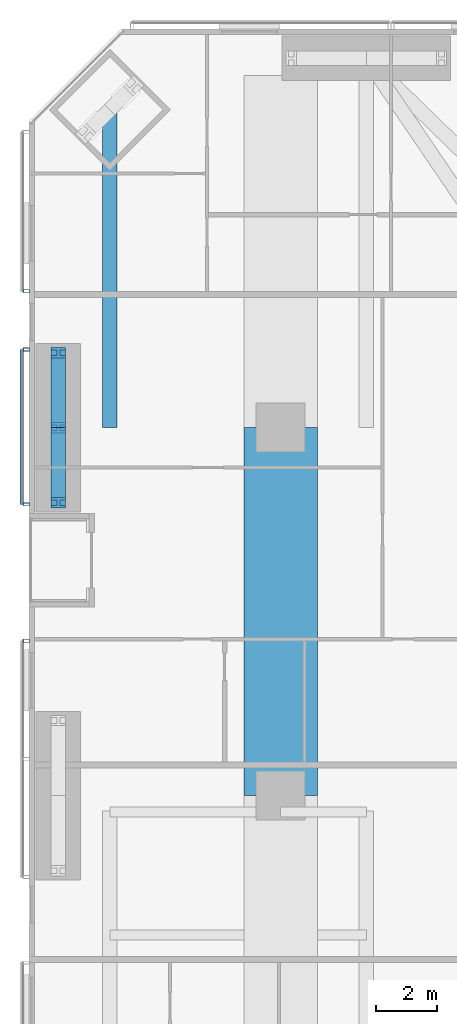
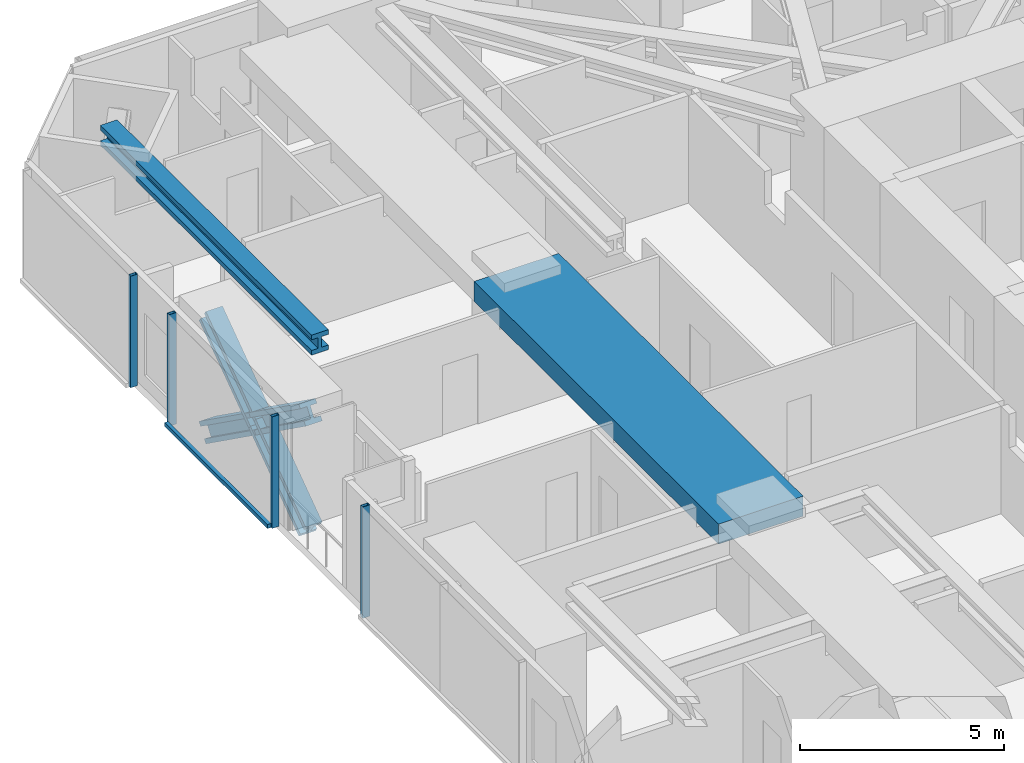
# One storey, part 6 of 22: 9 members, 2 beams, 3 elements without a shape of their own.
"""IFC4 building model written with IfcOpenShell, lengths in metres."""

from ifc_helpers import new_model, si_unit, direction, frame, origin, origin_2d, place, context, subcontext, project, spatial, rectangle, hollow_rectangle, i_section, extrude, material, material_profile, profile_set, type_object, element, aggregate, save


model = new_model("IFC4")

# Units and contexts
model_context = context("Model", 3, precision=1e-05, world=origin(), true_north=direction((0.0, 1.0)))
body_context = subcontext(model_context, "Body", "Model", "MODEL_VIEW")
ifc_project = project(units=[si_unit("LENGTHUNIT", "METRE"), si_unit("AREAUNIT", "SQUARE_METRE"), si_unit("VOLUMEUNIT", "CUBIC_METRE"), si_unit("PLANEANGLEUNIT", "RADIAN"), si_unit("MASSUNIT", "GRAM", prefix="KILO")], contexts=[model_context])

# Site, building, storey
site_placement = place(None, origin())
site = spatial("IfcSite", under=ifc_project, at=site_placement, CompositionType="ELEMENT")
building_placement = place(site_placement, origin())
building = spatial("IfcBuilding", under=site, at=building_placement, Name="Jalousie Tower", CompositionType="ELEMENT")
storey_placement = place(building_placement, frame((0.0, 0.0, 71.25)))
storey = spatial("IfcBuildingStorey", under=building, at=storey_placement, Name="L19", CompositionType="ELEMENT", Elevation=71.25)

# Beam
ifc_material_1 = material(Name="Steel ASTM A992 Grade 50", Category="steel")
ifc_material_profile_1 = material_profile(ifc_material_1, i_section(OverallWidth=0.4775390625, OverallDepth=0.599365234375, WebThickness=0.10009765625, FlangeThickness=0.139892578125, at=origin_2d()), Name="W14X873")
ifc_profile_set_1 = profile_set([ifc_material_profile_1], Name="Steel ASTM A992 Grade 50")
beam_type_1 = type_object("IfcBeamType", Name="KINK TIE W14X873", PredefinedType="BEAM", material=ifc_profile_set_1)
beam_1_placement = place(storey_placement, frame((4.63134765625, 35.36865234375, 2.92041015625), z_axis=(0.0, -1.0, 0.0), x_axis=(1.0, 0.0, 0.0)))
element("IfcBeam", 1, at=beam_1_placement, inside=storey, type_object=beam_type_1, Name="Kink tie under L20", PredefinedType="BEAM", context=body_context, shape_type="SweptSolid", body=[
    extrude(i_section(OverallWidth=0.4775390625, OverallDepth=0.599365234375, WebThickness=0.10009765625, FlangeThickness=0.139892578125, at=origin_2d()), origin(), (0.0, 0.0, 1.0), 10.36865234375),
])

# Members
ifc_material_2 = material(Name="Steel ASTM A992 Grade 50", Category="steel")
ifc_material_profile_2 = material_profile(ifc_material_2, i_section(OverallWidth=0.472412109375, OverallDepth=0.5791015625, WebThickness=0.094970703125, FlangeThickness=0.1298828125, at=origin_2d()), Name="W14X808")
ifc_profile_set_2 = profile_set([ifc_material_profile_2], Name="Steel ASTM A992 Grade 50")
member_type_1 = type_object("IfcMemberType", Name="PERIMETER BRACE W14X808", PredefinedType="BRACE", material=ifc_profile_set_2)
for number, where, z_axis, x_axis, name in (
    (2, (2.949951171875, 22.550048828125, -0.60009765625), (0.0, 0.813727992185, 0.581245864273), (-1.0, 0.0, 0.0), "Perimeter brace 13 L19 part 1"),
    (3, (2.949951171875, 25.0, 1.14990234375), (0.0, 0.813727992185, 0.581245864273), (-1.0, 0.0, 0.0), "Perimeter brace 13 L19 part 2"),
    (4, (2.949951171875, 27.449951171875, -0.60009765625), (0.0, -0.813727992185, 0.581245864273), (1.0, 0.0, 0.0), "Perimeter brace 13 L19 part 3"),
    (5, (2.949951171875, 25.0, 1.14990234375), (0.0, -0.813727992185, 0.581245864273), (1.0, 0.0, 0.0), "Perimeter brace 13 L19 part 4"),
):
    element("IfcMember", number, at=place(storey_placement, frame(where, z_axis=z_axis, x_axis=x_axis)), inside=storey, type_object=member_type_1, Name=name, PredefinedType="BRACE", context=body_context, shape_type="SweptSolid", body=[
        extrude(i_section(OverallWidth=0.472412109375, OverallDepth=0.5791015625, WebThickness=0.094970703125, FlangeThickness=0.1298828125, at=origin_2d()), origin(), (0.0, 0.0, 1.0), 3.0107421875),
    ])

# Beam
ifc_material_3 = material(Name="Concrete f'c 40 MPa", Category="concrete")
ifc_material_profile_3 = material_profile(ifc_material_3, rectangle(XDim=2.39990234375, YDim=0.60009765625, at=origin_2d()), Name="RC 2400x600")
ifc_profile_set_3 = profile_set([ifc_material_profile_3], Name="Concrete f'c 40 MPa")
beam_type_2 = type_object("IfcBeamType", Name="RC BEAM 2400x600", PredefinedType="BEAM", material=ifc_profile_set_3)
beam_2_placement = place(storey_placement, frame((10.199951171875, 13.0, 2.919921875), z_axis=(0.0, 1.0, 0.0), x_axis=(-1.0, 0.0, 0.0)))
element("IfcBeam", 6, at=beam_2_placement, inside=storey, type_object=beam_type_2, Name="Floor band beam under L20", PredefinedType="BEAM", context=body_context, shape_type="SweptSolid", body=[
    extrude(rectangle(XDim=2.39990234375, YDim=0.60009765625, at=origin_2d()), origin(), (0.0, 0.0, 1.0), 12.0),
])

# Curtain wall, member
ifc_material_4 = material(Name="Perforated aluminium sheet", Category="aluminium")
curtain_wall_type = type_object("IfcCurtainWallType", Name="SOLAR SCREEN SS-2", PredefinedType="USERDEFINED", material=ifc_material_4)
curtain_wall_1_placement = place(storey_placement, origin())
curtain_wall_1 = element("IfcCurtainWall", 7, at=curtain_wall_1_placement, inside=storey, type_object=curtain_wall_type, Name="Solar screen L19", ObjectType="SOLAR SCREEN SS-2", PredefinedType="USERDEFINED")
ifc_material_5 = material(Name="Steel ASTM A500 Grade C", Category="steel")
ifc_material_profile_4 = material_profile(ifc_material_5, hollow_rectangle(XDim=0.1015625, YDim=0.203125, WallThickness=0.0078125, at=origin_2d()), Name="HSS8X4X5/16")
ifc_profile_set_4 = profile_set([ifc_material_profile_4], Name="Steel ASTM A500 Grade C")
member_type_2 = type_object("IfcMemberType", Name="SOLAR SCREEN SS-2 MULLION", PredefinedType="MULLION", material=ifc_profile_set_4)
member_1_placement = place(storey_placement, frame((1.9033203125, 29.449951171875, -0.1201171875), z_axis=(0.0, 0.0, 1.0), x_axis=(0.0, -1.0, 0.0)))
member_1 = element("IfcMember", 8, at=member_1_placement, type_object=member_type_2, Name="SS2 post 2", PredefinedType="MULLION", context=body_context, shape_type="SweptSolid", body=[
    extrude(hollow_rectangle(XDim=0.1015625, YDim=0.203125, WallThickness=0.0078125, at=origin_2d()), origin(), (0.0, 0.0, 1.0), 3.340087890625),
])
aggregate(curtain_wall_1, [member_1])

# Curtain wall, members
curtain_wall_2_placement = place(storey_placement, origin())
curtain_wall_2 = element("IfcCurtainWall", 9, at=curtain_wall_2_placement, inside=storey, type_object=curtain_wall_type, Name="Solar screen L19", ObjectType="SOLAR SCREEN SS-2", PredefinedType="USERDEFINED")
member_2_placement = place(storey_placement, frame((1.9033203125, 27.550048828125, -0.1201171875), z_axis=(0.0, 0.0, 1.0), x_axis=(0.0, -1.0, 0.0)))
member_2 = element("IfcMember", 10, at=member_2_placement, type_object=member_type_2, Name="SS2 post 1", PredefinedType="MULLION", context=body_context, shape_type="SweptSolid", body=[
    extrude(hollow_rectangle(XDim=0.1015625, YDim=0.203125, WallThickness=0.0078125, at=origin_2d()), origin(), (0.0, 0.0, 1.0), 3.340087890625),
])
member_3_placement = place(storey_placement, frame((1.9033203125, 22.5, -0.1201171875), z_axis=(0.0, 0.0, 1.0), x_axis=(0.0, -1.0, 0.0)))
member_3 = element("IfcMember", 11, at=member_3_placement, type_object=member_type_2, Name="SS2 post 2", PredefinedType="MULLION", context=body_context, shape_type="SweptSolid", body=[
    extrude(hollow_rectangle(XDim=0.1015625, YDim=0.203125, WallThickness=0.0078125, at=origin_2d()), origin(), (0.0, 0.0, 1.0), 3.340087890625),
])

# Curtain wall, member
curtain_wall_3_placement = place(storey_placement, origin())
curtain_wall_3 = element("IfcCurtainWall", 12, at=curtain_wall_3_placement, inside=storey, type_object=curtain_wall_type, Name="Solar screen L19", ObjectType="SOLAR SCREEN SS-2", PredefinedType="USERDEFINED")
member_4_placement = place(storey_placement, frame((1.9033203125, 18.050048828125, -0.1201171875), z_axis=(0.0, 0.0, 1.0), x_axis=(0.0, -1.0, 0.0)))
member_4 = element("IfcMember", 13, at=member_4_placement, type_object=member_type_2, Name="SS2 post 1", PredefinedType="MULLION", context=body_context, shape_type="SweptSolid", body=[
    extrude(hollow_rectangle(XDim=0.1015625, YDim=0.203125, WallThickness=0.0078125, at=origin_2d()), origin(), (0.0, 0.0, 1.0), 3.340087890625),
])
aggregate(curtain_wall_3, [member_4])

# Member
ifc_material_6 = material(Name="Extruded aluminium screen rail", Category="aluminium")
ifc_material_profile_5 = material_profile(ifc_material_6, rectangle(XDim=0.1015625, YDim=0.1201171875, at=origin_2d()), Name="RAIL 102x120")
ifc_profile_set_5 = profile_set([ifc_material_profile_5], Name="Extruded aluminium screen rail")
member_type_3 = type_object("IfcMemberType", Name="SOLAR SCREEN SS-2 TRANSOM", PredefinedType="USERDEFINED", material=ifc_profile_set_5)
member_5_placement = place(storey_placement, frame((1.7509765625, 27.550048828125, -0.06005859375), z_axis=(0.0, -1.0, 0.0), x_axis=(1.0, 0.0, 0.0)))
member_5 = element("IfcMember", 14, at=member_5_placement, type_object=member_type_3, Name="SS2 rail", ObjectType="TRANSOM", PredefinedType="USERDEFINED", context=body_context, shape_type="SweptSolid", body=[
    extrude(rectangle(XDim=0.1015625, YDim=0.1201171875, at=origin_2d()), origin(), (0.0, 0.0, 1.0), 5.050048828125),
])

aggregate(curtain_wall_2, [member_2, member_3, member_5])

save(model, "model.ifc")
